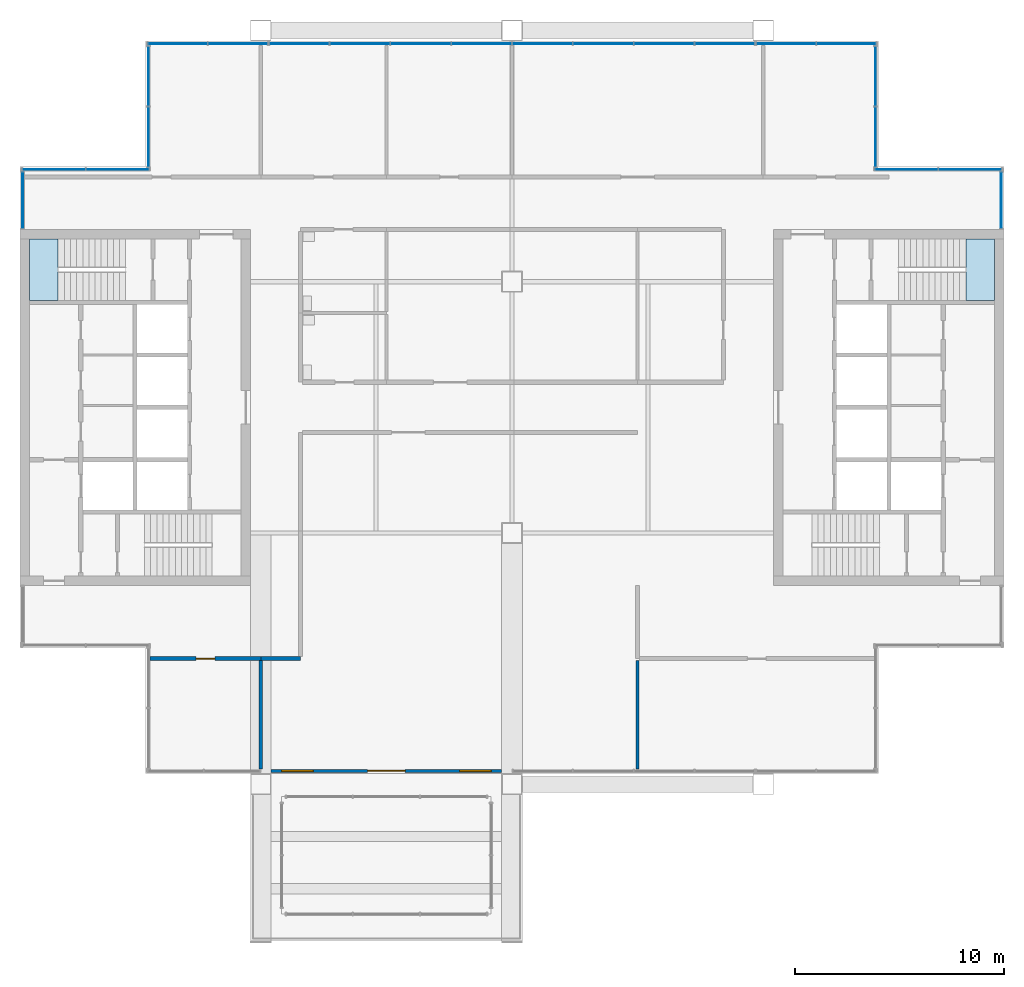
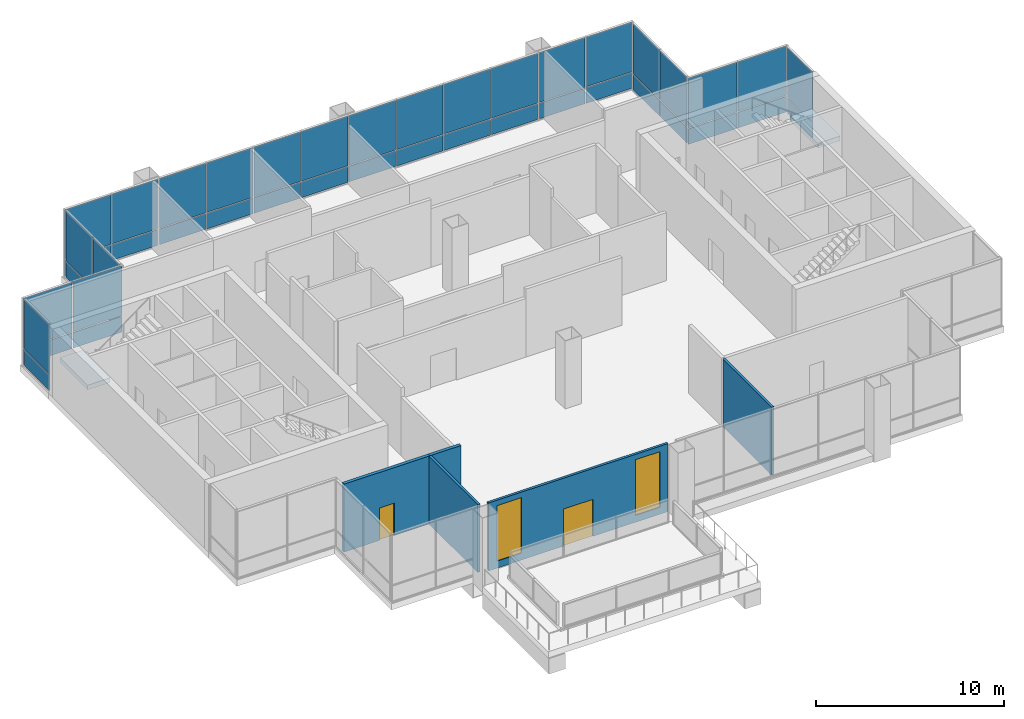
# One storey, part 10 of 15: 44 plates, 5 walls, 2 doors, 2 slabs, 2 windows, 4 openings, 11 elements without a shape of their own.
"""IFC4 building model written with IfcOpenShell, lengths in metres."""

from ifc_helpers import new_model, si_unit, direction, frame, frame_2d, origin, origin_2d, place, context, subcontext, project, spatial, polyline, rectangle, outline, extrude, material, layer, layer_set, type_object, element, fill, aggregate, save


model = new_model("IFC4")

# Units and contexts
model_context = context("Model", 3, precision=1e-05, world=origin(), true_north=direction((0.0, 1.0)))
body_context = subcontext(model_context, "Body", "Model", "MODEL_VIEW")
ifc_project = project(units=[si_unit("LENGTHUNIT", "METRE"), si_unit("AREAUNIT", "SQUARE_METRE"), si_unit("VOLUMEUNIT", "CUBIC_METRE"), si_unit("PLANEANGLEUNIT", "RADIAN"), si_unit("MASSUNIT", "GRAM", prefix="KILO")], contexts=[model_context])

# Site, building, storey
site_placement = place(None, origin())
site = spatial("IfcSite", under=ifc_project, at=site_placement, CompositionType="ELEMENT")
building_placement = place(site_placement, origin())
building = spatial("IfcBuilding", under=site, at=building_placement, Name="Kitamizu Gate Tower and Museum", CompositionType="ELEMENT")
storey_placement = place(building_placement, frame((0.0, 0.0, 273.14990234375)))
storey = spatial("IfcBuildingStorey", under=building, at=storey_placement, Name="L74", CompositionType="ELEMENT", Elevation=273.14990234375)

# Curtain wall, plates
ifc_material_1 = material(Name="Bronze anodised aluminium frame, tinted triple glazing", Category="aluminium")
curtain_wall_type_1 = type_object("IfcCurtainWallType", Name="CURTAIN WALL TYPE C SKY AMENITY", PredefinedType="NOTDEFINED", material=ifc_material_1)
curtain_wall_1_placement = place(storey_placement, origin())
curtain_wall_1 = element("IfcCurtainWall", 1, at=curtain_wall_1_placement, inside=storey, type_object=curtain_wall_type_1, Name="Curtain wall CW-C east L74", PredefinedType="NOTDEFINED")
ifc_material_2 = material(Name="Tinted insulating glass", Category="glass")
ifc_layer_1 = layer(ifc_material_2, 0.031982421875)
ifc_layer_set_1 = layer_set([ifc_layer_1], Name="Tinted insulating glass")
plate_type_1 = type_object("IfcPlateType", Name="GLASS PANEL 32 TYPE C", PredefinedType="CURTAIN_PANEL", material=ifc_layer_set_1)
plate_1_placement = place(storey_placement, frame((59.364990234375, 39.89501953125, 0.06005859375), z_axis=(0.0, 0.0, 1.0), x_axis=(0.0, 1.0, 0.0)))
plate_1 = element("IfcPlate", 2, at=plate_1_placement, type_object=plate_type_1, Name="CW-C panel 1.1", PredefinedType="CURTAIN_PANEL", context=body_context, shape_type="SweptSolid", body=[
    extrude(rectangle(XDim=2.669921875, YDim=0.031982421875, at=origin_2d()), origin(), (0.0, 0.0, 1.0), 1.010009765625),
])
plate_2_placement = place(storey_placement, frame((59.364990234375, 39.89501953125, 1.130126953125), z_axis=(0.0, 0.0, 1.0), x_axis=(0.0, 1.0, 0.0)))
plate_2 = element("IfcPlate", 3, at=plate_2_placement, type_object=plate_type_1, Name="CW-C panel 1.2", PredefinedType="CURTAIN_PANEL", context=body_context, shape_type="SweptSolid", body=[
    extrude(rectangle(XDim=2.669921875, YDim=0.031982421875, at=origin_2d()), origin(), (0.0, 0.0, 1.0), 3.2099609375),
])
aggregate(curtain_wall_1, [plate_1, plate_2])

curtain_wall_2_placement = place(storey_placement, origin())
curtain_wall_2 = element("IfcCurtainWall", 4, at=curtain_wall_2_placement, inside=storey, type_object=curtain_wall_type_1, Name="Curtain wall CW-C north L74", PredefinedType="NOTDEFINED")
plate_3_placement = place(storey_placement, frame((54.842529296875, 41.364990234375, 0.06005859375), z_axis=(0.0, 0.0, 1.0), x_axis=(1.0, 0.0, 0.0)))
plate_3 = element("IfcPlate", 5, at=plate_3_placement, type_object=plate_type_1, Name="CW-C panel 1.1", PredefinedType="CURTAIN_PANEL", context=body_context, shape_type="SweptSolid", body=[
    extrude(rectangle(XDim=2.985107421875, YDim=0.031982421875, at=origin_2d()), origin(), (0.0, 0.0, 1.0), 1.010009765625),
])
plate_4_placement = place(storey_placement, frame((54.842529296875, 41.364990234375, 1.130126953125), z_axis=(0.0, 0.0, 1.0), x_axis=(1.0, 0.0, 0.0)))
plate_4 = element("IfcPlate", 6, at=plate_4_placement, type_object=plate_type_1, Name="CW-C panel 1.2", PredefinedType="CURTAIN_PANEL", context=body_context, shape_type="SweptSolid", body=[
    extrude(rectangle(XDim=2.985107421875, YDim=0.031982421875, at=origin_2d()), origin(), (0.0, 0.0, 1.0), 3.2099609375),
])
plate_5_placement = place(storey_placement, frame((57.887451171875, 41.364990234375, 0.06005859375), z_axis=(0.0, 0.0, 1.0), x_axis=(1.0, 0.0, 0.0)))
plate_5 = element("IfcPlate", 7, at=plate_5_placement, type_object=plate_type_1, Name="CW-C panel 2.1", PredefinedType="CURTAIN_PANEL", context=body_context, shape_type="SweptSolid", body=[
    extrude(rectangle(XDim=2.985107421875, YDim=0.031982421875, at=origin_2d()), origin(), (0.0, 0.0, 1.0), 1.010009765625),
])
plate_6_placement = place(storey_placement, frame((57.887451171875, 41.364990234375, 1.130126953125), z_axis=(0.0, 0.0, 1.0), x_axis=(1.0, 0.0, 0.0)))
plate_6 = element("IfcPlate", 8, at=plate_6_placement, type_object=plate_type_1, Name="CW-C panel 2.2", PredefinedType="CURTAIN_PANEL", context=body_context, shape_type="SweptSolid", body=[
    extrude(rectangle(XDim=2.985107421875, YDim=0.031982421875, at=origin_2d()), origin(), (0.0, 0.0, 1.0), 3.2099609375),
])
aggregate(curtain_wall_2, [plate_3, plate_4, plate_5, plate_6])

curtain_wall_3_placement = place(storey_placement, origin())
curtain_wall_3 = element("IfcCurtainWall", 9, at=curtain_wall_3_placement, inside=storey, type_object=curtain_wall_type_1, Name="Curtain wall CW-C east L74", PredefinedType="NOTDEFINED")
plate_7_placement = place(storey_placement, frame((53.364990234375, 42.91748046875, 0.06005859375), z_axis=(0.0, 0.0, 1.0), x_axis=(0.0, 1.0, 0.0)))
plate_7 = element("IfcPlate", 10, at=plate_7_placement, type_object=plate_type_1, Name="CW-C panel 1.1", PredefinedType="CURTAIN_PANEL", context=body_context, shape_type="SweptSolid", body=[
    extrude(rectangle(XDim=2.8349609375, YDim=0.031982421875, at=origin_2d()), origin(), (0.0, 0.0, 1.0), 1.010009765625),
])
plate_8_placement = place(storey_placement, frame((53.364990234375, 42.91748046875, 1.130126953125), z_axis=(0.0, 0.0, 1.0), x_axis=(0.0, 1.0, 0.0)))
plate_8 = element("IfcPlate", 11, at=plate_8_placement, type_object=plate_type_1, Name="CW-C panel 1.2", PredefinedType="CURTAIN_PANEL", context=body_context, shape_type="SweptSolid", body=[
    extrude(rectangle(XDim=2.8349609375, YDim=0.031982421875, at=origin_2d()), origin(), (0.0, 0.0, 1.0), 3.2099609375),
])
plate_9_placement = place(storey_placement, frame((53.364990234375, 45.8125, 0.06005859375), z_axis=(0.0, 0.0, 1.0), x_axis=(0.0, 1.0, 0.0)))
plate_9 = element("IfcPlate", 12, at=plate_9_placement, type_object=plate_type_1, Name="CW-C panel 2.1", PredefinedType="CURTAIN_PANEL", context=body_context, shape_type="SweptSolid", body=[
    extrude(rectangle(XDim=2.8349609375, YDim=0.031982421875, at=origin_2d()), origin(), (0.0, 0.0, 1.0), 1.010009765625),
])
plate_10_placement = place(storey_placement, frame((53.364990234375, 45.8125, 1.130126953125), z_axis=(0.0, 0.0, 1.0), x_axis=(0.0, 1.0, 0.0)))
plate_10 = element("IfcPlate", 13, at=plate_10_placement, type_object=plate_type_1, Name="CW-C panel 2.2", PredefinedType="CURTAIN_PANEL", context=body_context, shape_type="SweptSolid", body=[
    extrude(rectangle(XDim=2.8349609375, YDim=0.031982421875, at=origin_2d()), origin(), (0.0, 0.0, 1.0), 3.2099609375),
])
aggregate(curtain_wall_3, [plate_7, plate_8, plate_9, plate_10])

curtain_wall_4_placement = place(storey_placement, origin())
curtain_wall_4 = element("IfcCurtainWall", 14, at=curtain_wall_4_placement, inside=storey, type_object=curtain_wall_type_1, Name="Curtain wall CW-C north L74 part 1", PredefinedType="NOTDEFINED")
plate_11_placement = place(storey_placement, frame((20.0283203125, 47.364990234375, 0.06005859375), z_axis=(0.0, 0.0, 1.0), x_axis=(1.0, 0.0, 0.0)))
plate_11 = element("IfcPlate", 15, at=plate_11_placement, type_object=plate_type_1, Name="CW-C panel 1.1", PredefinedType="CURTAIN_PANEL", context=body_context, shape_type="SweptSolid", body=[
    extrude(rectangle(XDim=2.816650390625, YDim=0.031982421875, at=origin_2d()), origin(), (0.0, 0.0, 1.0), 1.010009765625),
])
plate_12_placement = place(storey_placement, frame((20.0283203125, 47.364990234375, 1.130126953125), z_axis=(0.0, 0.0, 1.0), x_axis=(1.0, 0.0, 0.0)))
plate_12 = element("IfcPlate", 16, at=plate_12_placement, type_object=plate_type_1, Name="CW-C panel 1.2", PredefinedType="CURTAIN_PANEL", context=body_context, shape_type="SweptSolid", body=[
    extrude(rectangle(XDim=2.816650390625, YDim=0.031982421875, at=origin_2d()), origin(), (0.0, 0.0, 1.0), 3.2099609375),
])
plate_13_placement = place(storey_placement, frame((22.905029296875, 47.364990234375, 0.06005859375), z_axis=(0.0, 0.0, 1.0), x_axis=(1.0, 0.0, 0.0)))
plate_13 = element("IfcPlate", 17, at=plate_13_placement, type_object=plate_type_1, Name="CW-C panel 2.1", PredefinedType="CURTAIN_PANEL", context=body_context, shape_type="SweptSolid", body=[
    extrude(rectangle(XDim=2.816650390625, YDim=0.031982421875, at=origin_2d()), origin(), (0.0, 0.0, 1.0), 1.010009765625),
])
plate_14_placement = place(storey_placement, frame((22.905029296875, 47.364990234375, 1.130126953125), z_axis=(0.0, 0.0, 1.0), x_axis=(1.0, 0.0, 0.0)))
plate_14 = element("IfcPlate", 18, at=plate_14_placement, type_object=plate_type_1, Name="CW-C panel 2.2", PredefinedType="CURTAIN_PANEL", context=body_context, shape_type="SweptSolid", body=[
    extrude(rectangle(XDim=2.816650390625, YDim=0.031982421875, at=origin_2d()), origin(), (0.0, 0.0, 1.0), 3.2099609375),
])
aggregate(curtain_wall_4, [plate_11, plate_12, plate_13, plate_14])

curtain_wall_5_placement = place(storey_placement, origin())
curtain_wall_5 = element("IfcCurtainWall", 19, at=curtain_wall_5_placement, inside=storey, type_object=curtain_wall_type_1, Name="Curtain wall CW-C north L74 part 3", PredefinedType="NOTDEFINED")
plate_15_placement = place(storey_placement, frame((49.094970703125, 47.364990234375, 0.06005859375), z_axis=(0.0, 0.0, 1.0), x_axis=(1.0, 0.0, 0.0)))
plate_15 = element("IfcPlate", 20, at=plate_15_placement, type_object=plate_type_1, Name="CW-C panel 1.1", PredefinedType="CURTAIN_PANEL", context=body_context, shape_type="SweptSolid", body=[
    extrude(rectangle(XDim=2.816650390625, YDim=0.031982421875, at=origin_2d()), origin(), (0.0, 0.0, 1.0), 1.010009765625),
])
plate_16_placement = place(storey_placement, frame((49.094970703125, 47.364990234375, 1.130126953125), z_axis=(0.0, 0.0, 1.0), x_axis=(1.0, 0.0, 0.0)))
plate_16 = element("IfcPlate", 21, at=plate_16_placement, type_object=plate_type_1, Name="CW-C panel 1.2", PredefinedType="CURTAIN_PANEL", context=body_context, shape_type="SweptSolid", body=[
    extrude(rectangle(XDim=2.816650390625, YDim=0.031982421875, at=origin_2d()), origin(), (0.0, 0.0, 1.0), 3.2099609375),
])
plate_17_placement = place(storey_placement, frame((51.9716796875, 47.364990234375, 0.06005859375), z_axis=(0.0, 0.0, 1.0), x_axis=(1.0, 0.0, 0.0)))
plate_17 = element("IfcPlate", 22, at=plate_17_placement, type_object=plate_type_1, Name="CW-C panel 2.1", PredefinedType="CURTAIN_PANEL", context=body_context, shape_type="SweptSolid", body=[
    extrude(rectangle(XDim=2.816650390625, YDim=0.031982421875, at=origin_2d()), origin(), (0.0, 0.0, 1.0), 1.010009765625),
])
plate_18_placement = place(storey_placement, frame((51.9716796875, 47.364990234375, 1.130126953125), z_axis=(0.0, 0.0, 1.0), x_axis=(1.0, 0.0, 0.0)))
plate_18 = element("IfcPlate", 23, at=plate_18_placement, type_object=plate_type_1, Name="CW-C panel 2.2", PredefinedType="CURTAIN_PANEL", context=body_context, shape_type="SweptSolid", body=[
    extrude(rectangle(XDim=2.816650390625, YDim=0.031982421875, at=origin_2d()), origin(), (0.0, 0.0, 1.0), 3.2099609375),
])
aggregate(curtain_wall_5, [plate_15, plate_16, plate_17, plate_18])

curtain_wall_6_placement = place(storey_placement, origin())
curtain_wall_6 = element("IfcCurtainWall", 24, at=curtain_wall_6_placement, inside=storey, type_object=curtain_wall_type_1, Name="Curtain wall CW-C west L74", PredefinedType="NOTDEFINED")
plate_19_placement = place(storey_placement, frame((18.635009765625, 42.91748046875, 0.06005859375), z_axis=(0.0, 0.0, 1.0), x_axis=(0.0, 1.0, 0.0)))
plate_19 = element("IfcPlate", 25, at=plate_19_placement, type_object=plate_type_1, Name="CW-C panel 1.1", PredefinedType="CURTAIN_PANEL", context=body_context, shape_type="SweptSolid", body=[
    extrude(rectangle(XDim=2.8349609375, YDim=0.031982421875, at=origin_2d()), origin(), (0.0, 0.0, 1.0), 1.010009765625),
])
plate_20_placement = place(storey_placement, frame((18.635009765625, 42.91748046875, 1.130126953125), z_axis=(0.0, 0.0, 1.0), x_axis=(0.0, 1.0, 0.0)))
plate_20 = element("IfcPlate", 26, at=plate_20_placement, type_object=plate_type_1, Name="CW-C panel 1.2", PredefinedType="CURTAIN_PANEL", context=body_context, shape_type="SweptSolid", body=[
    extrude(rectangle(XDim=2.8349609375, YDim=0.031982421875, at=origin_2d()), origin(), (0.0, 0.0, 1.0), 3.2099609375),
])
plate_21_placement = place(storey_placement, frame((18.635009765625, 45.8125, 0.06005859375), z_axis=(0.0, 0.0, 1.0), x_axis=(0.0, 1.0, 0.0)))
plate_21 = element("IfcPlate", 27, at=plate_21_placement, type_object=plate_type_1, Name="CW-C panel 2.1", PredefinedType="CURTAIN_PANEL", context=body_context, shape_type="SweptSolid", body=[
    extrude(rectangle(XDim=2.8349609375, YDim=0.031982421875, at=origin_2d()), origin(), (0.0, 0.0, 1.0), 1.010009765625),
])
plate_22_placement = place(storey_placement, frame((18.635009765625, 45.8125, 1.130126953125), z_axis=(0.0, 0.0, 1.0), x_axis=(0.0, 1.0, 0.0)))
plate_22 = element("IfcPlate", 28, at=plate_22_placement, type_object=plate_type_1, Name="CW-C panel 2.2", PredefinedType="CURTAIN_PANEL", context=body_context, shape_type="SweptSolid", body=[
    extrude(rectangle(XDim=2.8349609375, YDim=0.031982421875, at=origin_2d()), origin(), (0.0, 0.0, 1.0), 3.2099609375),
])
aggregate(curtain_wall_6, [plate_19, plate_20, plate_21, plate_22])

curtain_wall_7_placement = place(storey_placement, origin())
curtain_wall_7 = element("IfcCurtainWall", 29, at=curtain_wall_7_placement, inside=storey, type_object=curtain_wall_type_1, Name="Curtain wall CW-C north L74", PredefinedType="NOTDEFINED")
plate_23_placement = place(storey_placement, frame((14.112548828125, 41.364990234375, 0.06005859375), z_axis=(0.0, 0.0, 1.0), x_axis=(1.0, 0.0, 0.0)))
plate_23 = element("IfcPlate", 30, at=plate_23_placement, type_object=plate_type_1, Name="CW-C panel 1.1", PredefinedType="CURTAIN_PANEL", context=body_context, shape_type="SweptSolid", body=[
    extrude(rectangle(XDim=2.985107421875, YDim=0.031982421875, at=origin_2d()), origin(), (0.0, 0.0, 1.0), 1.010009765625),
])
plate_24_placement = place(storey_placement, frame((14.112548828125, 41.364990234375, 1.130126953125), z_axis=(0.0, 0.0, 1.0), x_axis=(1.0, 0.0, 0.0)))
plate_24 = element("IfcPlate", 31, at=plate_24_placement, type_object=plate_type_1, Name="CW-C panel 1.2", PredefinedType="CURTAIN_PANEL", context=body_context, shape_type="SweptSolid", body=[
    extrude(rectangle(XDim=2.985107421875, YDim=0.031982421875, at=origin_2d()), origin(), (0.0, 0.0, 1.0), 3.2099609375),
])
plate_25_placement = place(storey_placement, frame((17.157470703125, 41.364990234375, 0.06005859375), z_axis=(0.0, 0.0, 1.0), x_axis=(1.0, 0.0, 0.0)))
plate_25 = element("IfcPlate", 32, at=plate_25_placement, type_object=plate_type_1, Name="CW-C panel 2.1", PredefinedType="CURTAIN_PANEL", context=body_context, shape_type="SweptSolid", body=[
    extrude(rectangle(XDim=2.985107421875, YDim=0.031982421875, at=origin_2d()), origin(), (0.0, 0.0, 1.0), 1.010009765625),
])
plate_26_placement = place(storey_placement, frame((17.157470703125, 41.364990234375, 1.130126953125), z_axis=(0.0, 0.0, 1.0), x_axis=(1.0, 0.0, 0.0)))
plate_26 = element("IfcPlate", 33, at=plate_26_placement, type_object=plate_type_1, Name="CW-C panel 2.2", PredefinedType="CURTAIN_PANEL", context=body_context, shape_type="SweptSolid", body=[
    extrude(rectangle(XDim=2.985107421875, YDim=0.031982421875, at=origin_2d()), origin(), (0.0, 0.0, 1.0), 3.2099609375),
])
aggregate(curtain_wall_7, [plate_23, plate_24, plate_25, plate_26])

curtain_wall_8_placement = place(storey_placement, origin())
curtain_wall_8 = element("IfcCurtainWall", 34, at=curtain_wall_8_placement, inside=storey, type_object=curtain_wall_type_1, Name="Curtain wall CW-C west L74", PredefinedType="NOTDEFINED")
plate_27_placement = place(storey_placement, frame((12.635009765625, 39.89501953125, 0.06005859375), z_axis=(0.0, 0.0, 1.0), x_axis=(0.0, 1.0, 0.0)))
plate_27 = element("IfcPlate", 35, at=plate_27_placement, type_object=plate_type_1, Name="CW-C panel 1.1", PredefinedType="CURTAIN_PANEL", context=body_context, shape_type="SweptSolid", body=[
    extrude(rectangle(XDim=2.669921875, YDim=0.031982421875, at=origin_2d()), origin(), (0.0, 0.0, 1.0), 1.010009765625),
])
plate_28_placement = place(storey_placement, frame((12.635009765625, 39.89501953125, 1.130126953125), z_axis=(0.0, 0.0, 1.0), x_axis=(0.0, 1.0, 0.0)))
plate_28 = element("IfcPlate", 36, at=plate_28_placement, type_object=plate_type_1, Name="CW-C panel 1.2", PredefinedType="CURTAIN_PANEL", context=body_context, shape_type="SweptSolid", body=[
    extrude(rectangle(XDim=2.669921875, YDim=0.031982421875, at=origin_2d()), origin(), (0.0, 0.0, 1.0), 3.2099609375),
])
aggregate(curtain_wall_8, [plate_27, plate_28])

ifc_material_3 = material(Name="Bronze anodised aluminium frame, insulated panels", Category="aluminium")
curtain_wall_type_2 = type_object("IfcCurtainWallType", Name="CURTAIN WALL TYPE C SKY AMENITY INSULATED", PredefinedType="NOTDEFINED", material=ifc_material_3)
curtain_wall_9_placement = place(storey_placement, origin())
curtain_wall_9 = element("IfcCurtainWall", 37, at=curtain_wall_9_placement, inside=storey, type_object=curtain_wall_type_2, Name="Curtain wall CW-CI north L74 part 2", PredefinedType="NOTDEFINED")
ifc_material_4 = material(Name="Bronze anodised aluminium insulated panel", Category="aluminium")
ifc_layer_2 = layer(ifc_material_4, 0.031982421875)
ifc_layer_set_2 = layer_set([ifc_layer_2], Name="Bronze anodised aluminium insulated panel")
plate_type_2 = type_object("IfcPlateType", Name="INSULATED PANEL 32 TYPE C", PredefinedType="CURTAIN_PANEL", material=ifc_layer_set_2)
plate_29_placement = place(storey_placement, frame((25.841552734375, 47.364990234375, 0.06005859375), z_axis=(0.0, 0.0, 1.0), x_axis=(1.0, 0.0, 0.0)))
plate_29 = element("IfcPlate", 38, at=plate_29_placement, type_object=plate_type_2, Name="CW-CI panel 1.1", PredefinedType="CURTAIN_PANEL", context=body_context, shape_type="SweptSolid", body=[
    extrude(rectangle(XDim=2.816650390625, YDim=0.031982421875, at=origin_2d()), origin(), (0.0, 0.0, 1.0), 1.010009765625),
])
plate_30_placement = place(storey_placement, frame((25.841552734375, 47.364990234375, 1.130126953125), z_axis=(0.0, 0.0, 1.0), x_axis=(1.0, 0.0, 0.0)))
plate_30 = element("IfcPlate", 39, at=plate_30_placement, type_object=plate_type_2, Name="CW-CI panel 1.2", PredefinedType="CURTAIN_PANEL", context=body_context, shape_type="SweptSolid", body=[
    extrude(rectangle(XDim=2.816650390625, YDim=0.031982421875, at=origin_2d()), origin(), (0.0, 0.0, 1.0), 3.2099609375),
])
plate_31_placement = place(storey_placement, frame((28.7333984375, 47.364990234375, 0.06005859375), z_axis=(0.0, 0.0, 1.0), x_axis=(1.0, 0.0, 0.0)))
plate_31 = element("IfcPlate", 40, at=plate_31_placement, type_object=plate_type_2, Name="CW-CI panel 2.1", PredefinedType="CURTAIN_PANEL", context=body_context, shape_type="SweptSolid", body=[
    extrude(rectangle(XDim=2.8466796875, YDim=0.031982421875, at=origin_2d()), origin(), (0.0, 0.0, 1.0), 1.010009765625),
])
plate_32_placement = place(storey_placement, frame((28.7333984375, 47.364990234375, 1.130126953125), z_axis=(0.0, 0.0, 1.0), x_axis=(1.0, 0.0, 0.0)))
plate_32 = element("IfcPlate", 41, at=plate_32_placement, type_object=plate_type_2, Name="CW-CI panel 2.2", PredefinedType="CURTAIN_PANEL", context=body_context, shape_type="SweptSolid", body=[
    extrude(rectangle(XDim=2.8466796875, YDim=0.031982421875, at=origin_2d()), origin(), (0.0, 0.0, 1.0), 3.2099609375),
])
plate_33_placement = place(storey_placement, frame((31.639892578125, 47.364990234375, 0.06005859375), z_axis=(0.0, 0.0, 1.0), x_axis=(1.0, 0.0, 0.0)))
plate_33 = element("IfcPlate", 42, at=plate_33_placement, type_object=plate_type_2, Name="CW-CI panel 3.1", PredefinedType="CURTAIN_PANEL", context=body_context, shape_type="SweptSolid", body=[
    extrude(rectangle(XDim=2.8466796875, YDim=0.031982421875, at=origin_2d()), origin(), (0.0, 0.0, 1.0), 1.010009765625),
])
plate_34_placement = place(storey_placement, frame((31.639892578125, 47.364990234375, 1.130126953125), z_axis=(0.0, 0.0, 1.0), x_axis=(1.0, 0.0, 0.0)))
plate_34 = element("IfcPlate", 43, at=plate_34_placement, type_object=plate_type_2, Name="CW-CI panel 3.2", PredefinedType="CURTAIN_PANEL", context=body_context, shape_type="SweptSolid", body=[
    extrude(rectangle(XDim=2.8466796875, YDim=0.031982421875, at=origin_2d()), origin(), (0.0, 0.0, 1.0), 3.2099609375),
])
plate_35_placement = place(storey_placement, frame((34.546630859375, 47.364990234375, 0.06005859375), z_axis=(0.0, 0.0, 1.0), x_axis=(1.0, 0.0, 0.0)))
plate_35 = element("IfcPlate", 44, at=plate_35_placement, type_object=plate_type_2, Name="CW-CI panel 4.1", PredefinedType="CURTAIN_PANEL", context=body_context, shape_type="SweptSolid", body=[
    extrude(rectangle(XDim=2.8466796875, YDim=0.031982421875, at=origin_2d()), origin(), (0.0, 0.0, 1.0), 1.010009765625),
])
plate_36_placement = place(storey_placement, frame((34.546630859375, 47.364990234375, 1.130126953125), z_axis=(0.0, 0.0, 1.0), x_axis=(1.0, 0.0, 0.0)))
plate_36 = element("IfcPlate", 45, at=plate_36_placement, type_object=plate_type_2, Name="CW-CI panel 4.2", PredefinedType="CURTAIN_PANEL", context=body_context, shape_type="SweptSolid", body=[
    extrude(rectangle(XDim=2.8466796875, YDim=0.031982421875, at=origin_2d()), origin(), (0.0, 0.0, 1.0), 3.2099609375),
])
plate_37_placement = place(storey_placement, frame((37.453369140625, 47.364990234375, 0.06005859375), z_axis=(0.0, 0.0, 1.0), x_axis=(1.0, 0.0, 0.0)))
plate_37 = element("IfcPlate", 46, at=plate_37_placement, type_object=plate_type_2, Name="CW-CI panel 5.1", PredefinedType="CURTAIN_PANEL", context=body_context, shape_type="SweptSolid", body=[
    extrude(rectangle(XDim=2.8466796875, YDim=0.031982421875, at=origin_2d()), origin(), (0.0, 0.0, 1.0), 1.010009765625),
])
plate_38_placement = place(storey_placement, frame((37.453369140625, 47.364990234375, 1.130126953125), z_axis=(0.0, 0.0, 1.0), x_axis=(1.0, 0.0, 0.0)))
plate_38 = element("IfcPlate", 47, at=plate_38_placement, type_object=plate_type_2, Name="CW-CI panel 5.2", PredefinedType="CURTAIN_PANEL", context=body_context, shape_type="SweptSolid", body=[
    extrude(rectangle(XDim=2.8466796875, YDim=0.031982421875, at=origin_2d()), origin(), (0.0, 0.0, 1.0), 3.2099609375),
])
plate_39_placement = place(storey_placement, frame((40.360107421875, 47.364990234375, 0.06005859375), z_axis=(0.0, 0.0, 1.0), x_axis=(1.0, 0.0, 0.0)))
plate_39 = element("IfcPlate", 48, at=plate_39_placement, type_object=plate_type_2, Name="CW-CI panel 6.1", PredefinedType="CURTAIN_PANEL", context=body_context, shape_type="SweptSolid", body=[
    extrude(rectangle(XDim=2.8466796875, YDim=0.031982421875, at=origin_2d()), origin(), (0.0, 0.0, 1.0), 1.010009765625),
])
plate_40_placement = place(storey_placement, frame((40.360107421875, 47.364990234375, 1.130126953125), z_axis=(0.0, 0.0, 1.0), x_axis=(1.0, 0.0, 0.0)))
plate_40 = element("IfcPlate", 49, at=plate_40_placement, type_object=plate_type_2, Name="CW-CI panel 6.2", PredefinedType="CURTAIN_PANEL", context=body_context, shape_type="SweptSolid", body=[
    extrude(rectangle(XDim=2.8466796875, YDim=0.031982421875, at=origin_2d()), origin(), (0.0, 0.0, 1.0), 3.2099609375),
])
plate_41_placement = place(storey_placement, frame((43.2666015625, 47.364990234375, 0.06005859375), z_axis=(0.0, 0.0, 1.0), x_axis=(1.0, 0.0, 0.0)))
plate_41 = element("IfcPlate", 50, at=plate_41_placement, type_object=plate_type_2, Name="CW-CI panel 7.1", PredefinedType="CURTAIN_PANEL", context=body_context, shape_type="SweptSolid", body=[
    extrude(rectangle(XDim=2.8466796875, YDim=0.031982421875, at=origin_2d()), origin(), (0.0, 0.0, 1.0), 1.010009765625),
])
plate_42_placement = place(storey_placement, frame((43.2666015625, 47.364990234375, 1.130126953125), z_axis=(0.0, 0.0, 1.0), x_axis=(1.0, 0.0, 0.0)))
plate_42 = element("IfcPlate", 51, at=plate_42_placement, type_object=plate_type_2, Name="CW-CI panel 7.2", PredefinedType="CURTAIN_PANEL", context=body_context, shape_type="SweptSolid", body=[
    extrude(rectangle(XDim=2.8466796875, YDim=0.031982421875, at=origin_2d()), origin(), (0.0, 0.0, 1.0), 3.2099609375),
])
plate_43_placement = place(storey_placement, frame((46.158447265625, 47.364990234375, 0.06005859375), z_axis=(0.0, 0.0, 1.0), x_axis=(1.0, 0.0, 0.0)))
plate_43 = element("IfcPlate", 52, at=plate_43_placement, type_object=plate_type_2, Name="CW-CI panel 8.1", PredefinedType="CURTAIN_PANEL", context=body_context, shape_type="SweptSolid", body=[
    extrude(rectangle(XDim=2.816650390625, YDim=0.031982421875, at=origin_2d()), origin(), (0.0, 0.0, 1.0), 1.010009765625),
])
plate_44_placement = place(storey_placement, frame((46.158447265625, 47.364990234375, 1.130126953125), z_axis=(0.0, 0.0, 1.0), x_axis=(1.0, 0.0, 0.0)))
plate_44 = element("IfcPlate", 53, at=plate_44_placement, type_object=plate_type_2, Name="CW-CI panel 8.2", PredefinedType="CURTAIN_PANEL", context=body_context, shape_type="SweptSolid", body=[
    extrude(rectangle(XDim=2.816650390625, YDim=0.031982421875, at=origin_2d()), origin(), (0.0, 0.0, 1.0), 3.2099609375),
])
aggregate(curtain_wall_9, [plate_29, plate_30, plate_31, plate_32, plate_33, plate_34, plate_35, plate_36, plate_37, plate_38, plate_39, plate_40, plate_41, plate_42, plate_43, plate_44])

# Stair, slab
ifc_material_5 = material(Name="Concrete Fc42", Category="concrete")
stair_type = type_object("IfcStairType", Name="Exit stair 1375 wide 200 rise 293 going", PredefinedType="HALF_TURN_STAIR", material=ifc_material_5)
stair_1_placement = place(storey_placement, origin())
stair_1 = element("IfcStair", 54, at=stair_1_placement, inside=storey, type_object=stair_type, Name="Exit stair ST2", PredefinedType="HALF_TURN_STAIR")
ifc_material_6 = material(Name="Concrete Fc42", Category="concrete")
ifc_layer_3 = layer(ifc_material_6, 0.300048828125)
ifc_layer_set_3 = layer_set([ifc_layer_3], Name="Concrete Fc42")
slab_type = type_object("IfcSlabType", Name="Stair landing 300", PredefinedType="LANDING", material=ifc_layer_set_3)
slab_1_placement = place(storey_placement, frame((0.0, 0.0, 2.10009765625)))
slab_1 = element("IfcSlab", 55, at=slab_1_placement, type_object=slab_type, Name="ST2 landing 1", PredefinedType="LANDING", context=body_context, shape_type="SweptSolid", body=[
    extrude(outline(polyline([(12.949951171875, 35.10009765625), (14.324951171875, 35.10009765625), (14.324951171875, 38.050048828125), (12.949951171875, 38.050048828125), (12.949951171875, 35.10009765625)])), origin(), (0.0, 0.0, 1.0), 0.300048828125),
])
aggregate(stair_1, [slab_1])

stair_2_placement = place(storey_placement, origin())
stair_2 = element("IfcStair", 56, at=stair_2_placement, inside=storey, type_object=stair_type, Name="Exit stair ST4", PredefinedType="HALF_TURN_STAIR")
slab_2_placement = place(storey_placement, frame((0.0, 0.0, 2.10009765625)))
slab_2 = element("IfcSlab", 57, at=slab_2_placement, type_object=slab_type, Name="ST4 landing 1", PredefinedType="LANDING", context=body_context, shape_type="SweptSolid", body=[
    extrude(outline(polyline([(57.675048828125, 35.10009765625), (59.050048828125, 35.10009765625), (59.050048828125, 38.050048828125), (57.675048828125, 38.050048828125), (57.675048828125, 35.10009765625)])), origin(), (0.0, 0.0, 1.0), 0.300048828125),
])
aggregate(stair_2, [slab_2])

# Walls
ifc_material_7 = material(Name="Gypsum board on galvanised stud")
ifc_layer_4 = layer(ifc_material_7, 0.14990234375)
ifc_layer_set_4 = layer_set([ifc_layer_4], Name="Gypsum board on galvanised stud")
wall_type_1 = type_object("IfcWallType", Name="Partition 150", PredefinedType="PARTITIONING", material=ifc_layer_set_4)
for number, where, z_axis, x_axis, name in (
    (58, (24.0, 17.89990234375, 0.0), (0.0, 0.0, 1.0), (0.0, -1.0, 0.0), "Partition L74-027"),
    (59, (42.0, 12.719970703125, 0.0), (0.0, 0.0, 1.0), (0.0, 1.0, 0.0), "Partition L74-028"),
):
    element("IfcWall", number, at=place(storey_placement, frame(where, z_axis=z_axis, x_axis=x_axis)), inside=storey, type_object=wall_type_1, Name=name, PredefinedType="PARTITIONING", context=body_context, shape_type="SweptSolid", body=[
        extrude(rectangle(XDim=5.179931640625, YDim=0.14990234375, at=frame_2d((2.58984375, 0.0))), origin(), (0.0, 0.0, 1.0), 4.400146484375),
    ])
ifc_material_8 = material(Name="Gypsum board on galvanised stud")
ifc_layer_5 = layer(ifc_material_8, 0.199951171875)
ifc_layer_set_5 = layer_set([ifc_layer_5], Name="Gypsum board on galvanised stud")
wall_type_2 = type_object("IfcWallType", Name="Partition 200", PredefinedType="PARTITIONING", material=ifc_layer_set_5)
wall_1_placement = place(storey_placement, frame((24.0, 18.0, 0.0), z_axis=(0.0, 0.0, 1.0), x_axis=(1.0, 0.0, 0.0)))
element("IfcWall", 60, at=wall_1_placement, inside=storey, type_object=wall_type_2, Name="Partition L74-001", PredefinedType="PARTITIONING", context=body_context, shape_type="SweptSolid", body=[
    extrude(rectangle(XDim=1.89990234375, YDim=0.199951171875, at=frame_2d((0.949951171875, 0.0))), origin(), (0.0, 0.0, 1.0), 4.400146484375),
])

# Wall, opening, door
wall_2_placement = place(storey_placement, frame((18.719970703125, 18.0, 0.0), z_axis=(0.0, 0.0, 1.0), x_axis=(1.0, 0.0, 0.0)))
wall_2 = element("IfcWall", 61, at=wall_2_placement, inside=storey, type_object=wall_type_2, Name="Partition L74-007", PredefinedType="PARTITIONING", context=body_context, shape_type="SweptSolid", body=[
    extrude(rectangle(XDim=5.280029296875, YDim=0.199951171875, at=frame_2d((2.64013671875, 0.0))), origin(), (0.0, 0.0, 1.0), 4.400146484375),
])
opening_1_placement = place(wall_2_placement, frame((2.18994140625, 0.0, 0.0)))
opening_1 = element("IfcOpeningElement", 62, at=opening_1_placement, cuts=wall_2, Name="Opening L74-002", PredefinedType="OPENING", context=body_context, shape_type="SweptSolid", body=[
    extrude(rectangle(XDim=0.89990234375, YDim=2.10009765625, at=frame_2d((0.449951171875, 1.050048828125))), frame((0.0, 0.10986328125, 0.0), z_axis=(0.0, -1.0, 0.0), x_axis=(1.0, 0.0, 0.0)), (0.0, 0.0, 1.0), 0.219970703125),
])
ifc_material_9 = material(Name="Timber door set", Category="wood")
door_type_1 = type_object("IfcDoorType", Name="Room door 900", OperationType="NOTDEFINED", PredefinedType="DOOR", material=ifc_material_9)
door_1_placement = place(opening_1_placement, frame((0.89990234375, 0.0, 0.0), x_axis=(-1.0, 0.0, 0.0)))
door_1 = element("IfcDoor", 63, at=door_1_placement, inside=storey, type_object=door_type_1, Name="Door L74-002", OperationType="SINGLE_SWING_LEFT", OverallHeight=2.10009765625, OverallWidth=0.89990234375, PredefinedType="DOOR", context=body_context, shape_type="SweptSolid", body=[
    extrude(rectangle(XDim=0.89990234375, YDim=2.10009765625, at=frame_2d((0.449951171875, 1.050048828125))), frame((0.0, 0.02490234375, 0.0), z_axis=(0.0, -1.0, 0.0), x_axis=(1.0, 0.0, 0.0)), (0.0, 0.0, 1.0), 0.050048828125),
])
fill(opening_1, door_1)

# Wall, openings, windows, door
ifc_material_10 = material(Name="Bronze anodised aluminium frame with insulated spandrel and tinted glass", Category="aluminium")
ifc_layer_6 = layer(ifc_material_10, 0.14990234375)
ifc_layer_set_6 = layer_set([ifc_layer_6], Name="Bronze anodised aluminium frame with insulated spandrel and tinted glass")
wall_type_3 = type_object("IfcWallType", Name="WINDOW WALL 150 BRONZE FRAME UNRATED", PredefinedType="ELEMENTEDWALL", material=ifc_layer_set_6)
wall_3_placement = place(storey_placement, frame((24.5, 12.635009765625, 0.0), z_axis=(0.0, 0.0, 1.0), x_axis=(1.0, 0.0, 0.0)))
wall_3 = element("IfcWall", 64, at=wall_3_placement, inside=storey, type_object=wall_type_3, Name="Window wall south pool hall", PredefinedType="ELEMENTEDWALL", context=body_context, shape_type="SweptSolid", body=[
    extrude(rectangle(XDim=11.0, YDim=0.14990234375, at=frame_2d((5.5, 0.0))), origin(), (0.0, 0.0, 1.0), 4.400146484375),
])
opening_2_placement = place(wall_3_placement, frame((0.5, 0.0, 0.449951171875)))
opening_2 = element("IfcOpeningElement", 65, at=opening_2_placement, cuts=wall_3, Name="Opening W24D", PredefinedType="OPENING", context=body_context, shape_type="SweptSolid", body=[
    extrude(rectangle(XDim=1.5, YDim=3.60009765625, at=frame_2d((0.75, 1.800048828125))), frame((0.0, 0.0849609375, 0.0), z_axis=(0.0, -1.0, 0.0), x_axis=(1.0, 0.0, 0.0)), (0.0, 0.0, 1.0), 0.169921875),
])
opening_3_placement = place(wall_3_placement, frame((9.0, 0.0, 0.449951171875)))
opening_3 = element("IfcOpeningElement", 66, at=opening_3_placement, cuts=wall_3, Name="Opening W24D", PredefinedType="OPENING", context=body_context, shape_type="SweptSolid", body=[
    extrude(rectangle(XDim=1.5, YDim=3.60009765625, at=frame_2d((0.75, 1.800048828125))), frame((0.0, 0.0849609375, 0.0), z_axis=(0.0, -1.0, 0.0), x_axis=(1.0, 0.0, 0.0)), (0.0, 0.0, 1.0), 0.169921875),
])
opening_4_placement = place(wall_3_placement, frame((4.60009765625, 0.0, 0.0)))
opening_4 = element("IfcOpeningElement", 67, at=opening_4_placement, cuts=wall_3, Name="Opening L74-950", PredefinedType="OPENING", context=body_context, shape_type="SweptSolid", body=[
    extrude(rectangle(XDim=1.800048828125, YDim=2.39990234375, at=frame_2d((0.89990234375, 1.199951171875))), frame((0.0, 0.0849609375, 0.0), z_axis=(0.0, -1.0, 0.0), x_axis=(1.0, 0.0, 0.0)), (0.0, 0.0, 1.0), 0.169921875),
])
ifc_material_11 = material(Name="Bronze anodised aluminium frame, tinted triple glazing", Category="aluminium")
window_type = type_object("IfcWindowType", Name="POOL HALL WINDOW 1500 x 3600 SILL 450", PartitioningType="SINGLE_PANEL", PredefinedType="WINDOW", material=ifc_material_11)
window_1_placement = place(opening_2_placement, origin())
window_1 = element("IfcWindow", 68, at=window_1_placement, inside=storey, type_object=window_type, Name="Window W24D pool hall", OverallHeight=3.60009765625, OverallWidth=1.5, PartitioningType="SINGLE_PANEL", PredefinedType="WINDOW", context=body_context, shape_type="SweptSolid", body=[
    extrude(rectangle(XDim=1.5, YDim=3.60009765625, at=frame_2d((0.75, 1.800048828125))), frame((0.0, 0.030029296875, 0.0), z_axis=(0.0, -1.0, 0.0), x_axis=(1.0, 0.0, 0.0)), (0.0, 0.0, 1.0), 0.06005859375),
])
fill(opening_2, window_1)
window_2_placement = place(opening_3_placement, origin())
window_2 = element("IfcWindow", 69, at=window_2_placement, inside=storey, type_object=window_type, Name="Window W24D pool hall", OverallHeight=3.60009765625, OverallWidth=1.5, PartitioningType="SINGLE_PANEL", PredefinedType="WINDOW", context=body_context, shape_type="SweptSolid", body=[
    extrude(rectangle(XDim=1.5, YDim=3.60009765625, at=frame_2d((0.75, 1.800048828125))), frame((0.0, 0.030029296875, 0.0), z_axis=(0.0, -1.0, 0.0), x_axis=(1.0, 0.0, 0.0)), (0.0, 0.0, 1.0), 0.06005859375),
])
fill(opening_3, window_2)
ifc_material_12 = material(Name="Bronze anodised aluminium frame, tinted toughened glass", Category="aluminium")
door_type_2 = type_object("IfcDoorType", Name="TERRACE DOOR 1800 x 2400 UNRATED", OperationType="DOUBLE_DOOR_SINGLE_SWING", PredefinedType="DOOR", material=ifc_material_12)
door_2_placement = place(opening_4_placement, frame((1.800048828125, 0.0, 0.0), x_axis=(-1.0, 0.0, 0.0)))
door_2 = element("IfcDoor", 70, at=door_2_placement, inside=storey, type_object=door_type_2, Name="Terrace door L74-950", OperationType="DOUBLE_DOOR_SINGLE_SWING", OverallHeight=2.39990234375, OverallWidth=1.800048828125, PredefinedType="DOOR", context=body_context, shape_type="SweptSolid", body=[
    extrude(rectangle(XDim=1.800048828125, YDim=2.39990234375, at=frame_2d((0.89990234375, 1.199951171875))), frame((0.0, 0.02490234375, 0.0), z_axis=(0.0, -1.0, 0.0), x_axis=(1.0, 0.0, 0.0)), (0.0, 0.0, 1.0), 0.050048828125),
])
fill(opening_4, door_2)

save(model, "model.ifc")
